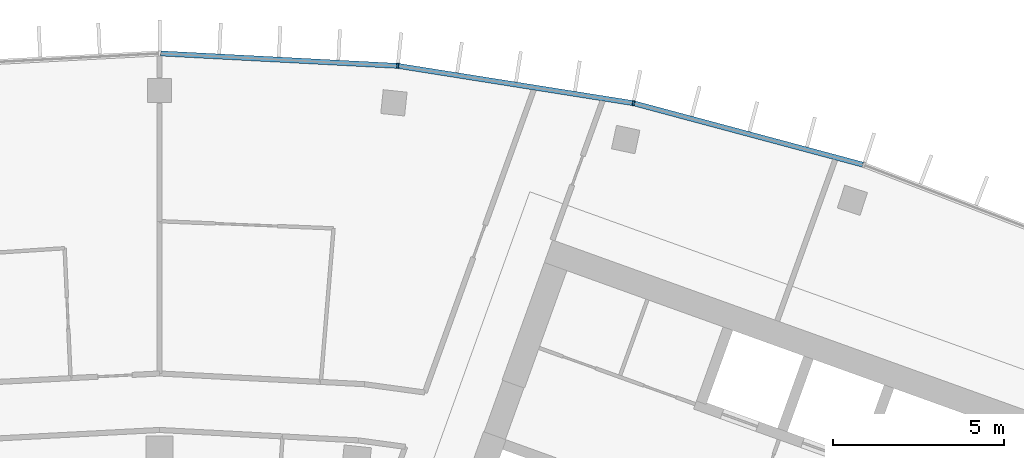
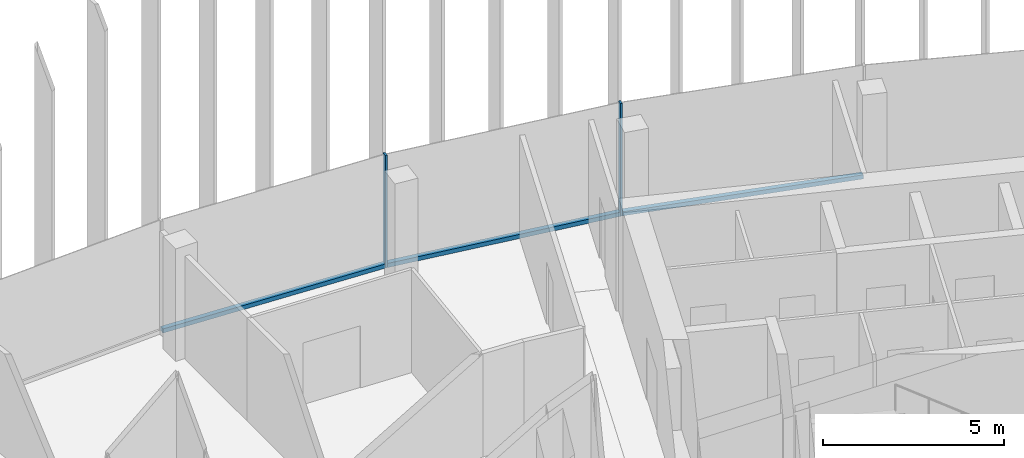
# One storey, part 7 of 19: 5 members, 1 element without a shape of its own.
"""IFC4 building model written with IfcOpenShell, lengths in metres."""

import ifcopenshell
import ifcopenshell.guid

model = None  # the IFC model being written
_history = None  # IfcOwnerHistory: only IFC2X3 demands one
_inside = {}  # id of a spatial element -> (the spatial element, [elements in it])
_under = {}  # id of a project, library or spatial element -> (it, [spatial elements below it])
_declared = {}  # id of a project -> (the project, [libraries it declares])
_typed = {}  # id of a type object -> (the type object, [elements of that type])
_made_of = {}  # id of a material, layer set ... -> (it, [elements and type objects made of it])


def new_model(schema):
    """Start an empty IFC model of exactly this schema.

    Asked for "IFC4X3", IfcOpenShell would pick the latest addendum, in which some entities
    have other attributes; the version numbers below select the first issue.
    IFC2X3 requires an IfcOwnerHistory on every rooted entity: one is made here for all.
    """
    global model, _history
    if schema == "IFC4X3":
        model = ifcopenshell.file(schema_version=(4, 3, 0, 0))
    else:
        model = ifcopenshell.file(schema=schema)
    _inside.clear()
    _under.clear()
    _declared.clear()
    _typed.clear()
    _made_of.clear()
    _history = None
    if model.schema == "IFC2X3":
        org = make("IfcOrganization", Name="unknown")
        user = make(
            "IfcPersonAndOrganization",
            ThePerson=make("IfcPerson", FamilyName="unknown"),
            TheOrganization=org,
        )
        app = make(
            "IfcApplication",
            ApplicationDeveloper=org,
            Version="unknown",
            ApplicationFullName="unknown",
            ApplicationIdentifier="unknown",
        )
        _history = make(
            "IfcOwnerHistory",
            OwningUser=user,
            OwningApplication=app,
            ChangeAction="ADDED",
            CreationDate=0,
        )
    return model


def make(cls, **values):
    """One entity of the class cls with the attributes given. An attribute that is None is left unset."""
    return model.create_entity(
        cls, **{name: value for name, value in values.items() if value is not None}
    )


def rooted(cls, **values):
    """An entity with a GlobalId (a new one), such as an element, a storey or a relation."""
    return make(cls, GlobalId=ifcopenshell.guid.new(), OwnerHistory=_history, **values)


def si_unit(unit_type, name, prefix=None):
    """IfcSIUnit, for example si_unit("LENGTHUNIT", "METRE", prefix="MILLI")."""
    return make("IfcSIUnit", UnitType=unit_type, Prefix=prefix, Name=name)


def assignment(units):
    """IfcUnitAssignment: the units of a project."""
    return None if units is None else make("IfcUnitAssignment", Units=units)


def point(xyz):
    """IfcCartesianPoint."""
    return None if xyz is None else make("IfcCartesianPoint", Coordinates=xyz)


def direction(xyz):
    """IfcDirection."""
    return None if xyz is None else make("IfcDirection", DirectionRatios=xyz)


def frame(location, z_axis=None, x_axis=None):
    """IfcAxis2Placement3D, a coordinate frame: its origin and axes. An axis left out is left unset."""
    return make(
        "IfcAxis2Placement3D",
        Location=point(location),
        Axis=direction(z_axis),
        RefDirection=direction(x_axis),
    )


def frame_2d(location, x_axis=None):
    """IfcAxis2Placement2D, a coordinate frame in the plane: its origin and x axis."""
    return make(
        "IfcAxis2Placement2D", Location=point(location), RefDirection=direction(x_axis)
    )


def origin():
    """The frame at (0, 0, 0) with its axes left unset."""
    return frame((0.0, 0.0, 0.0))


def origin_2d():
    """The frame at (0, 0) in the plane with its x axis left unset."""
    return frame_2d((0.0, 0.0))


def place(relative_to, where):
    """IfcLocalPlacement: puts the frame where relative to a parent placement (None: the world)."""
    return make(
        "IfcLocalPlacement", PlacementRelTo=relative_to, RelativePlacement=where
    )


def context(
    kind, dimensions, precision=None, world=None, true_north=None, identifier=None
):
    """IfcGeometricRepresentationContext, for example the 3D "Model" context."""
    return make(
        "IfcGeometricRepresentationContext",
        ContextIdentifier=identifier,
        ContextType=kind,
        CoordinateSpaceDimension=dimensions,
        Precision=precision,
        WorldCoordinateSystem=world,
        TrueNorth=true_north,
    )


def subcontext(parent, identifier, kind, view, scale=None):
    """IfcGeometricRepresentationSubContext, for example "Body" below "Model"."""
    return make(
        "IfcGeometricRepresentationSubContext",
        ContextIdentifier=identifier,
        ContextType=kind,
        ParentContext=parent,
        TargetScale=scale,
        TargetView=view,
    )


def project(units=None, contexts=None):
    """IfcProject with its units and contexts."""
    return rooted(
        "IfcProject",
        Name="project",
        RepresentationContexts=contexts,
        UnitsInContext=assignment(units),
    )


def spatial(cls, under=None, at=None, **own):
    """A site, building, storey or space (cls), placed at a placement, below another one or the project."""
    s = rooted(cls, ObjectPlacement=at, **own)
    if under is not None:
        _under.setdefault(under.id(), (under, []))[1].append(s)
    return s


def profile(cls, at=None, kind="AREA", **sizes):
    """A parametric profile (cls). Its sizes go by their IFC names, for example OverallWidth=200.0."""
    return make(cls, ProfileType=kind, Position=at, **sizes)


def rectangle(**sizes):
    """IfcRectangleProfileDef."""
    return profile("IfcRectangleProfileDef", **sizes)


def extrude(swept, where, along, depth):
    """IfcExtrudedAreaSolid: the profile swept, set in the frame where, extruded along a direction by depth."""
    return make(
        "IfcExtrudedAreaSolid",
        SweptArea=swept,
        Position=where,
        ExtrudedDirection=direction(along),
        Depth=depth,
    )


def shape(context_of_items, identifier, shape_type, items):
    """IfcShapeRepresentation: the items that make up one representation, for example the "Body"."""
    return make(
        "IfcShapeRepresentation",
        ContextOfItems=context_of_items,
        RepresentationIdentifier=identifier,
        RepresentationType=shape_type,
        Items=items,
    )


def material(Name=None, Category=None):
    """IfcMaterial."""
    return make("IfcMaterial", Name=Name, Category=Category)


def layer(
    of_material, thickness, ventilated=None, Name=None, Category=None, Priority=None
):
    """IfcMaterialLayer: one layer of a wall or slab, of a material (None: an air gap)."""
    return make(
        "IfcMaterialLayer",
        Material=of_material,
        LayerThickness=thickness,
        IsVentilated=ventilated,
        Name=Name,
        Category=Category,
        Priority=Priority,
    )


def layer_set(layers, Name=None):
    """IfcMaterialLayerSet."""
    return make("IfcMaterialLayerSet", MaterialLayers=layers, LayerSetName=Name)


def material_profile(
    of_material, cross_section, Name=None, Category=None, Priority=None
):
    """IfcMaterialProfile: a cross section and its material."""
    return make(
        "IfcMaterialProfile",
        Name=Name,
        Material=of_material,
        Profile=cross_section,
        Priority=Priority,
        Category=Category,
    )


def profile_set(profiles, Name=None, composite=None):
    """IfcMaterialProfileSet."""
    return make(
        "IfcMaterialProfileSet",
        Name=Name,
        MaterialProfiles=profiles,
        CompositeProfile=composite,
    )


def made_of(thing, what):
    """Note that an element or type object is made of a material, layer set ...; save() writes the relation."""
    if what is not None:
        _made_of.setdefault(what.id(), (what, []))[1].append(thing)
    return thing


def type_object(cls, material=None, **own):
    """A type object (cls), such as IfcWallType, which elements share."""
    return made_of(rooted(cls, **own), material)


def element(
    cls,
    number,
    at=None,
    inside=None,
    cuts=None,
    type_object=None,
    material=None,
    context=None,
    identifier="Body",
    shape_type=None,
    held_by="IfcProductDefinitionShape",
    body=None,
    shapes=None,
    **own,
):
    """One element of the class cls, such as IfcWall. Its Tag is "e" and its number.

    at: its placement. inside: the storey or other place that contains it. cuts: it is an
    opening in that element (IfcRelVoidsElement). A single representation is given by context,
    identifier, shape_type and body (its items); several are given by shapes. held_by: the class
    of the entity that holds the representations. save() writes the other relations.
    """
    e = rooted(cls, Tag="e%d" % number, ObjectPlacement=at, **own)
    if body is not None:
        shapes = [shape(context, identifier, shape_type, body)]
    if shapes is not None:
        e.Representation = make(held_by, Representations=shapes)
    if inside is not None:
        _inside.setdefault(inside.id(), (inside, []))[1].append(e)
    if cuts is not None:
        rooted(
            "IfcRelVoidsElement", RelatingBuildingElement=cuts, RelatedOpeningElement=e
        )
    if type_object is not None:
        _typed.setdefault(type_object.id(), (type_object, []))[1].append(e)
    return made_of(e, material)


def aggregate(whole, parts):
    """IfcRelAggregates: a whole, such as a stair, and the parts it consists of."""
    return rooted("IfcRelAggregates", RelatingObject=whole, RelatedObjects=parts)


def save(model, path):
    """Write the relations noted so far, then the file.

    IfcRelAggregates (storeys below a building ...), IfcRelContainedInSpatialStructure (elements
    in a storey), IfcRelDefinesByType, IfcRelAssociatesMaterial and IfcRelDeclares: one each for
    every whole, place, type object, material and project.
    """
    for whole, parts in _under.values():
        aggregate(whole, parts)
    for where, things in _inside.values():
        rooted(
            "IfcRelContainedInSpatialStructure",
            RelatedElements=things,
            RelatingStructure=where,
        )
    for kind, things in _typed.values():
        rooted("IfcRelDefinesByType", RelatedObjects=things, RelatingType=kind)
    for what, things in _made_of.values():
        rooted("IfcRelAssociatesMaterial", RelatedObjects=things, RelatingMaterial=what)
    for by, libraries in _declared.values():
        rooted("IfcRelDeclares", RelatingContext=by, RelatedDefinitions=libraries)
    model.write(path)


model = new_model("IFC4")

# Units and contexts
model_context = context("Model", 3, precision=1e-05, world=origin(), true_north=direction((0.0, 1.0)))
body_context = subcontext(model_context, "Body", "Model", "MODEL_VIEW")
ifc_project = project(units=[si_unit("LENGTHUNIT", "METRE"), si_unit("AREAUNIT", "SQUARE_METRE"), si_unit("VOLUMEUNIT", "CUBIC_METRE"), si_unit("PLANEANGLEUNIT", "RADIAN"), si_unit("MASSUNIT", "GRAM", prefix="KILO")], contexts=[model_context])

# Site, building, storey
site_placement = place(None, origin())
site = spatial("IfcSite", under=ifc_project, at=site_placement, CompositionType="ELEMENT")
building_placement = place(site_placement, origin())
building = spatial("IfcBuilding", under=site, at=building_placement, Name="Stone Belt Terrace Tower", CompositionType="ELEMENT")
storey_placement = place(building_placement, frame((0.0, 0.0, 292.199951171875)))
storey = spatial("IfcBuildingStorey", under=building, at=storey_placement, Name="L71", CompositionType="ELEMENT", Elevation=292.199951171875)

# Curtain wall, members
ifc_material = material(Name="Aluminium 6063-T6 anodised frame", Category="aluminium")
ifc_layer = layer(ifc_material, 0.14990234375)
ifc_layer_set = layer_set([ifc_layer], Name="CW-A unitised convex-face curtain wall")
curtain_wall_type = type_object("IfcCurtainWallType", Name="CW-A unitised convex-face curtain wall", PredefinedType="NOTDEFINED", material=ifc_layer_set)
curtain_wall_placement = place(storey_placement, origin())
curtain_wall = element("IfcCurtainWall", 1, at=curtain_wall_placement, inside=storey, type_object=curtain_wall_type, Name="CW-A convex face L71", PredefinedType="NOTDEFINED")
ifc_material_profile_1 = material_profile(ifc_material, rectangle(XDim=0.14990234375, YDim=0.06005859375, at=origin_2d()), Name="Aluminium 6063-T6 60x150")
ifc_profile_set_1 = profile_set([ifc_material_profile_1], Name="Aluminium 6063-T6 anodised frame")
member_type_1 = type_object("IfcMemberType", Name="CW-A mullion 60 x 150", PredefinedType="MULLION", material=ifc_profile_set_1)
member_1_placement = place(storey_placement, frame((13.841796875, 65.120361328125, 0.0), z_axis=(0.0, 0.0, 1.0), x_axis=(-0.207911690818, -0.978147600734, 0.0)))
member_1 = element("IfcMember", 2, at=member_1_placement, type_object=member_type_1, Name="CW-A mullion 6", PredefinedType="MULLION", context=body_context, shape_type="SweptSolid", body=[
    extrude(rectangle(XDim=0.14990234375, YDim=0.06005859375, at=origin_2d()), origin(), (0.0, 0.0, 1.0), 3.800048828125),
])
member_2_placement = place(storey_placement, frame((6.958984375, 66.21044921875, 0.0), z_axis=(0.0, 0.0, 1.0), x_axis=(-0.104528463268, -0.994521895368, 0.0)))
member_2 = element("IfcMember", 3, at=member_2_placement, type_object=member_type_1, Name="CW-A mullion 7", PredefinedType="MULLION", context=body_context, shape_type="SweptSolid", body=[
    extrude(rectangle(XDim=0.14990234375, YDim=0.06005859375, at=origin_2d()), origin(), (0.0, 0.0, 1.0), 3.800048828125),
])
ifc_material_profile_2 = material_profile(ifc_material, rectangle(XDim=0.14990234375, YDim=0.139892578125, at=origin_2d()), Name="Aluminium 6063-T6 150x140")
ifc_profile_set_2 = profile_set([ifc_material_profile_2], Name="Aluminium 6063-T6 anodised frame")
member_type_2 = type_object("IfcMemberType", Name="CW-A transom 140 x 150", PredefinedType="USERDEFINED", material=ifc_profile_set_2)
member_3_placement = place(storey_placement, frame((20.5400390625, 63.325439453125, 0.070068359375), z_axis=(-0.965921835863, 0.258833937117, 0.0), x_axis=(-0.258833937117, -0.965921835863, 0.0)))
member_3 = element("IfcMember", 4, at=member_3_placement, type_object=member_type_2, Name="CW-A transom 5.1", ObjectType="TRANSOM", PredefinedType="USERDEFINED", context=body_context, shape_type="SweptSolid", body=[
    extrude(rectangle(XDim=0.14990234375, YDim=0.139892578125, at=origin_2d()), origin(), (0.0, 0.0, 1.0), 6.900634765625),
])
member_4_placement = place(storey_placement, frame((13.808349609375, 65.12548828125, 0.070068359375), z_axis=(-0.987687120531, 0.156442168027, 0.0), x_axis=(-0.156442168027, -0.987687120531, 0.0)))
member_4 = element("IfcMember", 5, at=member_4_placement, type_object=member_type_2, Name="CW-A transom 6.1", ObjectType="TRANSOM", PredefinedType="USERDEFINED", context=body_context, shape_type="SweptSolid", body=[
    extrude(rectangle(XDim=0.14990234375, YDim=0.139892578125, at=origin_2d()), origin(), (0.0, 0.0, 1.0), 6.90087890625),
])
member_5_placement = place(storey_placement, frame((6.925048828125, 66.212158203125, 0.070068359375), z_axis=(-0.998630019135, 0.052326712899, 0.0), x_axis=(-0.052326712899, -0.998630019135, 0.0)))
member_5 = element("IfcMember", 6, at=member_5_placement, type_object=member_type_2, Name="CW-A transom 7.1", ObjectType="TRANSOM", PredefinedType="USERDEFINED", context=body_context, shape_type="SweptSolid", body=[
    extrude(rectangle(XDim=0.14990234375, YDim=0.139892578125, at=origin_2d()), origin(), (0.0, 0.0, 1.0), 6.900634765625),
])
aggregate(curtain_wall, [member_1, member_2, member_3, member_4, member_5])

save(model, "model.ifc")
